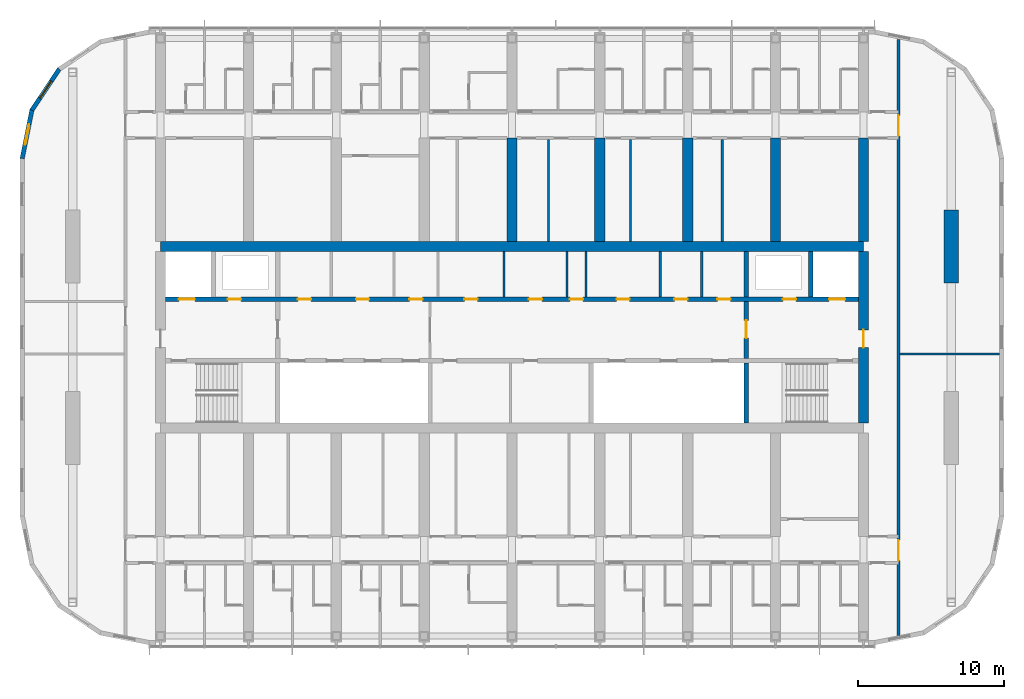
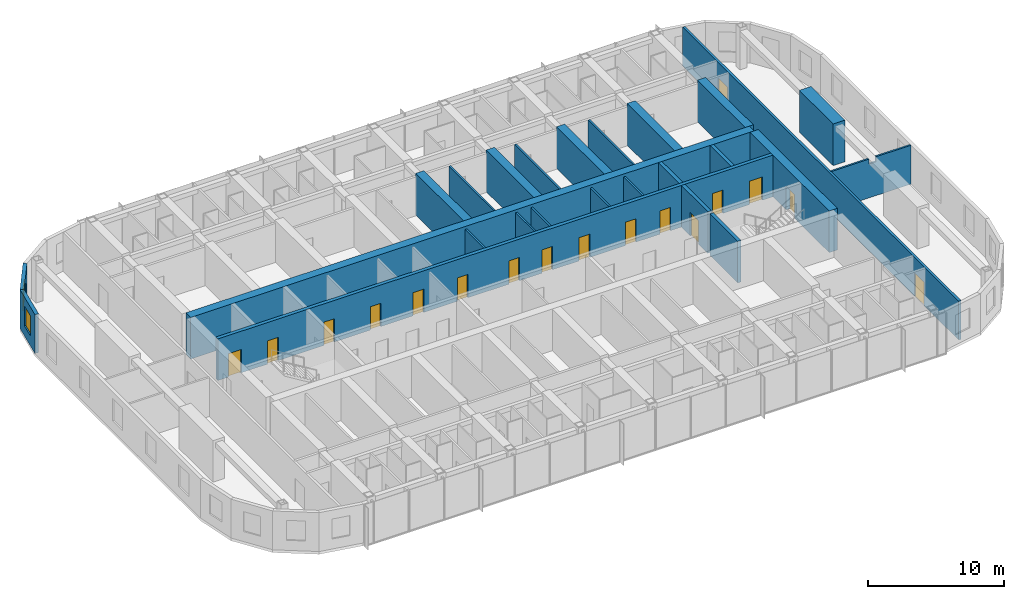
# One storey, part 15 of 24: 25 walls, 17 doors, 2 windows, 19 openings.
"""IFC4 building model written with IfcOpenShell, lengths in metres."""

from ifc_helpers import new_model, si_unit, direction, frame, frame_2d, origin, place, context, subcontext, project, spatial, polyline, rectangle, outline, extrude, material, layer, layer_set, type_object, element, fill, save


model = new_model("IFC4")

# Units and contexts
model_context = context("Model", 3, precision=1e-05, world=origin(), true_north=direction((0.0, 1.0)))
body_context = subcontext(model_context, "Body", "Model", "MODEL_VIEW")
ifc_project = project(units=[si_unit("LENGTHUNIT", "METRE"), si_unit("AREAUNIT", "SQUARE_METRE"), si_unit("VOLUMEUNIT", "CUBIC_METRE"), si_unit("PLANEANGLEUNIT", "RADIAN"), si_unit("MASSUNIT", "GRAM", prefix="KILO")], contexts=[model_context])

# Site, building, storey
site_placement = place(None, origin())
site = spatial("IfcSite", under=ifc_project, at=site_placement, CompositionType="ELEMENT")
building_placement = place(site_placement, origin())
building = spatial("IfcBuilding", under=site, at=building_placement, Name="Orbita Commons", CompositionType="ELEMENT")
storey_placement = place(building_placement, frame((0.0, 0.0, 239.050048828125)))
storey = spatial("IfcBuildingStorey", under=building, at=storey_placement, Name="L59", CompositionType="ELEMENT", Elevation=239.050048828125)

# Wall, openings, doors
ifc_material_1 = material(Name="Concrete C50/60", Category="concrete")
ifc_layer_1 = layer(ifc_material_1, 0.300048828125)
ifc_layer_set_1 = layer_set([ifc_layer_1], Name="Concrete C50/60")
wall_type_1 = type_object("IfcWallType", Name="Core inner wall 300 C50/60", PredefinedType="SHEAR", material=ifc_layer_set_1)
wall_1_placement = place(storey_placement, frame((18.35009765625, 34.60009765625, 0.0), z_axis=(0.0, 0.0, 1.0), x_axis=(1.0, 0.0, 0.0)))
wall_1 = element("IfcWall", 1, at=wall_1_placement, inside=storey, type_object=wall_type_1, Name="Lobby wall north L59", PredefinedType="SHEAR", context=body_context, shape_type="SweptSolid", body=[
    extrude(rectangle(XDim=47.2998046875, YDim=0.300048828125, at=frame_2d((23.64990234375, 0.0))), origin(), (0.0, 0.0, 1.0), 3.75),
])
opening_1_placement = place(wall_1_placement, frame((0.89990234375, 0.0, 0.0)))
opening_1 = element("IfcOpeningElement", 2, at=opening_1_placement, cuts=wall_1, Name="Opening LD01", PredefinedType="OPENING", context=body_context, shape_type="SweptSolid", body=[
    extrude(rectangle(XDim=1.10009765625, YDim=2.10009765625, at=frame_2d((0.550048828125, 1.050048828125))), frame((0.0, 0.159912109375, 0.0), z_axis=(0.0, -1.0, 0.0), x_axis=(1.0, 0.0, 0.0)), (0.0, 0.0, 1.0), 0.320068359375),
])
opening_2_placement = place(wall_1_placement, frame((45.300048828125, 0.0, 0.0)))
opening_2 = element("IfcOpeningElement", 3, at=opening_2_placement, cuts=wall_1, Name="Opening LD01", PredefinedType="OPENING", context=body_context, shape_type="SweptSolid", body=[
    extrude(rectangle(XDim=1.10009765625, YDim=2.10009765625, at=frame_2d((0.550048828125, 1.050048828125))), frame((0.0, 0.159912109375, 0.0), z_axis=(0.0, -1.0, 0.0), x_axis=(1.0, 0.0, 0.0)), (0.0, 0.0, 1.0), 0.320068359375),
])
opening_3_placement = place(wall_1_placement, frame((4.25, 0.0, 0.0)))
opening_3 = element("IfcOpeningElement", 4, at=opening_3_placement, cuts=wall_1, Name="Opening D03", PredefinedType="OPENING", context=body_context, shape_type="SweptSolid", body=[
    extrude(rectangle(XDim=0.89990234375, YDim=2.10009765625, at=frame_2d((0.449951171875, 1.050048828125))), frame((0.0, 0.159912109375, 0.0), z_axis=(0.0, -1.0, 0.0), x_axis=(1.0, 0.0, 0.0)), (0.0, 0.0, 1.0), 0.320068359375),
])
opening_4_placement = place(wall_1_placement, frame((42.14990234375, 0.0, 0.0)))
opening_4 = element("IfcOpeningElement", 5, at=opening_4_placement, cuts=wall_1, Name="Opening D03", PredefinedType="OPENING", context=body_context, shape_type="SweptSolid", body=[
    extrude(rectangle(XDim=0.89990234375, YDim=2.10009765625, at=frame_2d((0.449951171875, 1.050048828125))), frame((0.0, 0.159912109375, 0.0), z_axis=(0.0, -1.0, 0.0), x_axis=(1.0, 0.0, 0.0)), (0.0, 0.0, 1.0), 0.320068359375),
])
opening_5_placement = place(wall_1_placement, frame((9.025390625, 0.0, 0.0)))
opening_5 = element("IfcOpeningElement", 6, at=opening_5_placement, cuts=wall_1, Name="Opening D05", PredefinedType="OPENING", context=body_context, shape_type="SweptSolid", body=[
    extrude(rectangle(XDim=0.89990234375, YDim=2.10009765625, at=frame_2d((0.449951171875, 1.050048828125))), frame((0.0, 0.159912109375, 0.0), z_axis=(0.0, -1.0, 0.0), x_axis=(1.0, 0.0, 0.0)), (0.0, 0.0, 1.0), 0.320068359375),
])
opening_6_placement = place(wall_1_placement, frame((12.998779296875, 0.0, 0.0)))
opening_6 = element("IfcOpeningElement", 7, at=opening_6_placement, cuts=wall_1, Name="Opening D03", PredefinedType="OPENING", context=body_context, shape_type="SweptSolid", body=[
    extrude(rectangle(XDim=0.89990234375, YDim=2.10009765625, at=frame_2d((0.449951171875, 1.050048828125))), frame((0.0, 0.159912109375, 0.0), z_axis=(0.0, -1.0, 0.0), x_axis=(1.0, 0.0, 0.0)), (0.0, 0.0, 1.0), 0.320068359375),
])
opening_7_placement = place(wall_1_placement, frame((16.646240234375, 0.0, 0.0)))
opening_7 = element("IfcOpeningElement", 8, at=opening_7_placement, cuts=wall_1, Name="Opening D03", PredefinedType="OPENING", context=body_context, shape_type="SweptSolid", body=[
    extrude(rectangle(XDim=0.89990234375, YDim=2.10009765625, at=frame_2d((0.449951171875, 1.050048828125))), frame((0.0, 0.159912109375, 0.0), z_axis=(0.0, -1.0, 0.0), x_axis=(1.0, 0.0, 0.0)), (0.0, 0.0, 1.0), 0.320068359375),
])
opening_8_placement = place(wall_1_placement, frame((20.40478515625, 0.0, 0.0)))
opening_8 = element("IfcOpeningElement", 9, at=opening_8_placement, cuts=wall_1, Name="Opening D03", PredefinedType="OPENING", context=body_context, shape_type="SweptSolid", body=[
    extrude(rectangle(XDim=0.89990234375, YDim=2.10009765625, at=frame_2d((0.449951171875, 1.050048828125))), frame((0.0, 0.159912109375, 0.0), z_axis=(0.0, -1.0, 0.0), x_axis=(1.0, 0.0, 0.0)), (0.0, 0.0, 1.0), 0.320068359375),
])
opening_9_placement = place(wall_1_placement, frame((24.810791015625, 0.0, 0.0)))
opening_9 = element("IfcOpeningElement", 10, at=opening_9_placement, cuts=wall_1, Name="Opening D03", PredefinedType="OPENING", context=body_context, shape_type="SweptSolid", body=[
    extrude(rectangle(XDim=0.89990234375, YDim=2.10009765625, at=frame_2d((0.449951171875, 1.050048828125))), frame((0.0, 0.159912109375, 0.0), z_axis=(0.0, -1.0, 0.0), x_axis=(1.0, 0.0, 0.0)), (0.0, 0.0, 1.0), 0.320068359375),
])
opening_10_placement = place(wall_1_placement, frame((27.6083984375, 0.0, 0.0)))
opening_10 = element("IfcOpeningElement", 11, at=opening_10_placement, cuts=wall_1, Name="Opening D03", PredefinedType="OPENING", context=body_context, shape_type="SweptSolid", body=[
    extrude(rectangle(XDim=0.89990234375, YDim=2.10009765625, at=frame_2d((0.449951171875, 1.050048828125))), frame((0.0, 0.159912109375, 0.0), z_axis=(0.0, -1.0, 0.0), x_axis=(1.0, 0.0, 0.0)), (0.0, 0.0, 1.0), 0.320068359375),
])
opening_11_placement = place(wall_1_placement, frame((30.791259765625, 0.0, 0.0)))
opening_11 = element("IfcOpeningElement", 12, at=opening_11_placement, cuts=wall_1, Name="Opening D05", PredefinedType="OPENING", context=body_context, shape_type="SweptSolid", body=[
    extrude(rectangle(XDim=0.89990234375, YDim=2.10009765625, at=frame_2d((0.449951171875, 1.050048828125))), frame((0.0, 0.159912109375, 0.0), z_axis=(0.0, -1.0, 0.0), x_axis=(1.0, 0.0, 0.0)), (0.0, 0.0, 1.0), 0.320068359375),
])
opening_12_placement = place(wall_1_placement, frame((34.7421875, 0.0, 0.0)))
opening_12 = element("IfcOpeningElement", 13, at=opening_12_placement, cuts=wall_1, Name="Opening D03", PredefinedType="OPENING", context=body_context, shape_type="SweptSolid", body=[
    extrude(rectangle(XDim=0.89990234375, YDim=2.10009765625, at=frame_2d((0.449951171875, 1.050048828125))), frame((0.0, 0.159912109375, 0.0), z_axis=(0.0, -1.0, 0.0), x_axis=(1.0, 0.0, 0.0)), (0.0, 0.0, 1.0), 0.320068359375),
])
opening_13_placement = place(wall_1_placement, frame((37.680419921875, 0.0, 0.0)))
opening_13 = element("IfcOpeningElement", 14, at=opening_13_placement, cuts=wall_1, Name="Opening D03", PredefinedType="OPENING", context=body_context, shape_type="SweptSolid", body=[
    extrude(rectangle(XDim=0.89990234375, YDim=2.10009765625, at=frame_2d((0.449951171875, 1.050048828125))), frame((0.0, 0.159912109375, 0.0), z_axis=(0.0, -1.0, 0.0), x_axis=(1.0, 0.0, 0.0)), (0.0, 0.0, 1.0), 0.320068359375),
])
ifc_material_2 = material(Name="Steel-faced fire door leaf", Category="steel")
door_type_1 = type_object("IfcDoorType", Name="Firefighting lift landing door 1100x2100", OperationType="DOUBLE_DOOR_SLIDING", PredefinedType="DOOR", material=ifc_material_2)
door_1_placement = place(opening_1_placement, origin())
door_1 = element("IfcDoor", 15, at=door_1_placement, inside=storey, type_object=door_type_1, Name="Firefighting lift FL1 landing door", OperationType="DOUBLE_DOOR_SLIDING", OverallHeight=2.10009765625, OverallWidth=1.10009765625, PredefinedType="DOOR", context=body_context, shape_type="SweptSolid", body=[
    extrude(rectangle(XDim=1.10009765625, YDim=2.10009765625, at=frame_2d((0.550048828125, 1.050048828125))), frame((0.0, 0.02490234375, 0.0), z_axis=(0.0, -1.0, 0.0), x_axis=(1.0, 0.0, 0.0)), (0.0, 0.0, 1.0), 0.050048828125),
])
fill(opening_1, door_1)
door_2_placement = place(opening_2_placement, origin())
door_2 = element("IfcDoor", 16, at=door_2_placement, inside=storey, type_object=door_type_1, Name="Firefighting lift FL2 landing door", OperationType="DOUBLE_DOOR_SLIDING", OverallHeight=2.10009765625, OverallWidth=1.10009765625, PredefinedType="DOOR", context=body_context, shape_type="SweptSolid", body=[
    extrude(rectangle(XDim=1.10009765625, YDim=2.10009765625, at=frame_2d((0.550048828125, 1.050048828125))), frame((0.0, 0.02490234375, 0.0), z_axis=(0.0, -1.0, 0.0), x_axis=(1.0, 0.0, 0.0)), (0.0, 0.0, 1.0), 0.050048828125),
])
fill(opening_2, door_2)
ifc_material_3 = material(Name="Steel-faced fire door leaf", Category="steel")
door_type_2 = type_object("IfcDoorType", Name="Service door 20 min 900x2100", OperationType="SINGLE_SWING_LEFT", PredefinedType="DOOR", material=ifc_material_3)
door_3_placement = place(opening_5_placement, origin())
door_3 = element("IfcDoor", 17, at=door_3_placement, inside=storey, type_object=door_type_2, Name="Accessible WC door", OperationType="SINGLE_SWING_LEFT", OverallHeight=2.10009765625, OverallWidth=0.89990234375, PredefinedType="DOOR", context=body_context, shape_type="SweptSolid", body=[
    extrude(rectangle(XDim=0.89990234375, YDim=2.10009765625, at=frame_2d((0.449951171875, 1.050048828125))), frame((0.0, 0.02490234375, 0.0), z_axis=(0.0, -1.0, 0.0), x_axis=(1.0, 0.0, 0.0)), (0.0, 0.0, 1.0), 0.050048828125),
])
fill(opening_5, door_3)
door_4_placement = place(opening_11_placement, origin())
door_4 = element("IfcDoor", 18, at=door_4_placement, inside=storey, type_object=door_type_2, Name="Guest pantry door", OperationType="SINGLE_SWING_LEFT", OverallHeight=2.10009765625, OverallWidth=0.89990234375, PredefinedType="DOOR", context=body_context, shape_type="SweptSolid", body=[
    extrude(rectangle(XDim=0.89990234375, YDim=2.10009765625, at=frame_2d((0.449951171875, 1.050048828125))), frame((0.0, 0.02490234375, 0.0), z_axis=(0.0, -1.0, 0.0), x_axis=(1.0, 0.0, 0.0)), (0.0, 0.0, 1.0), 0.050048828125),
])
fill(opening_11, door_4)
ifc_material_4 = material(Name="Steel-faced fire door leaf", Category="steel")
door_type_3 = type_object("IfcDoorType", Name="Shaft access door 90 min 900x2100", OperationType="SINGLE_SWING_LEFT", PredefinedType="DOOR", material=ifc_material_4)
door_5_placement = place(opening_3_placement, origin())
door_5 = element("IfcDoor", 19, at=door_5_placement, inside=storey, type_object=door_type_3, Name="Riser door west", OperationType="SINGLE_SWING_LEFT", OverallHeight=2.10009765625, OverallWidth=0.89990234375, PredefinedType="DOOR", context=body_context, shape_type="SweptSolid", body=[
    extrude(rectangle(XDim=0.89990234375, YDim=2.10009765625, at=frame_2d((0.449951171875, 1.050048828125))), frame((0.0, 0.02490234375, 0.0), z_axis=(0.0, -1.0, 0.0), x_axis=(1.0, 0.0, 0.0)), (0.0, 0.0, 1.0), 0.050048828125),
])
fill(opening_3, door_5)
door_6_placement = place(opening_4_placement, origin())
door_6 = element("IfcDoor", 20, at=door_6_placement, inside=storey, type_object=door_type_3, Name="Riser door east", OperationType="SINGLE_SWING_LEFT", OverallHeight=2.10009765625, OverallWidth=0.89990234375, PredefinedType="DOOR", context=body_context, shape_type="SweptSolid", body=[
    extrude(rectangle(XDim=0.89990234375, YDim=2.10009765625, at=frame_2d((0.449951171875, 1.050048828125))), frame((0.0, 0.02490234375, 0.0), z_axis=(0.0, -1.0, 0.0), x_axis=(1.0, 0.0, 0.0)), (0.0, 0.0, 1.0), 0.050048828125),
])
fill(opening_4, door_6)
door_7_placement = place(opening_6_placement, origin())
door_7 = element("IfcDoor", 21, at=door_7_placement, inside=storey, type_object=door_type_3, Name="Refuse chute room door", OperationType="SINGLE_SWING_LEFT", OverallHeight=2.10009765625, OverallWidth=0.89990234375, PredefinedType="DOOR", context=body_context, shape_type="SweptSolid", body=[
    extrude(rectangle(XDim=0.89990234375, YDim=2.10009765625, at=frame_2d((0.449951171875, 1.050048828125))), frame((0.0, 0.02490234375, 0.0), z_axis=(0.0, -1.0, 0.0), x_axis=(1.0, 0.0, 0.0)), (0.0, 0.0, 1.0), 0.050048828125),
])
fill(opening_6, door_7)
door_8_placement = place(opening_7_placement, origin())
door_8 = element("IfcDoor", 22, at=door_8_placement, inside=storey, type_object=door_type_3, Name="Electrical riser room door", OperationType="SINGLE_SWING_LEFT", OverallHeight=2.10009765625, OverallWidth=0.89990234375, PredefinedType="DOOR", context=body_context, shape_type="SweptSolid", body=[
    extrude(rectangle(XDim=0.89990234375, YDim=2.10009765625, at=frame_2d((0.449951171875, 1.050048828125))), frame((0.0, 0.02490234375, 0.0), z_axis=(0.0, -1.0, 0.0), x_axis=(1.0, 0.0, 0.0)), (0.0, 0.0, 1.0), 0.050048828125),
])
fill(opening_7, door_8)
door_9_placement = place(opening_8_placement, origin())
door_9 = element("IfcDoor", 23, at=door_9_placement, inside=storey, type_object=door_type_3, Name="IT room door", OperationType="SINGLE_SWING_LEFT", OverallHeight=2.10009765625, OverallWidth=0.89990234375, PredefinedType="DOOR", context=body_context, shape_type="SweptSolid", body=[
    extrude(rectangle(XDim=0.89990234375, YDim=2.10009765625, at=frame_2d((0.449951171875, 1.050048828125))), frame((0.0, 0.02490234375, 0.0), z_axis=(0.0, -1.0, 0.0), x_axis=(1.0, 0.0, 0.0)), (0.0, 0.0, 1.0), 0.050048828125),
])
fill(opening_8, door_9)
door_10_placement = place(opening_9_placement, origin())
door_10 = element("IfcDoor", 24, at=door_10_placement, inside=storey, type_object=door_type_3, Name="Communications room door", OperationType="SINGLE_SWING_LEFT", OverallHeight=2.10009765625, OverallWidth=0.89990234375, PredefinedType="DOOR", context=body_context, shape_type="SweptSolid", body=[
    extrude(rectangle(XDim=0.89990234375, YDim=2.10009765625, at=frame_2d((0.449951171875, 1.050048828125))), frame((0.0, 0.02490234375, 0.0), z_axis=(0.0, -1.0, 0.0), x_axis=(1.0, 0.0, 0.0)), (0.0, 0.0, 1.0), 0.050048828125),
])
fill(opening_9, door_10)
door_11_placement = place(opening_10_placement, origin())
door_11 = element("IfcDoor", 25, at=door_11_placement, inside=storey, type_object=door_type_3, Name="Stair pressurisation duct door", OperationType="SINGLE_SWING_LEFT", OverallHeight=2.10009765625, OverallWidth=0.89990234375, PredefinedType="DOOR", context=body_context, shape_type="SweptSolid", body=[
    extrude(rectangle(XDim=0.89990234375, YDim=2.10009765625, at=frame_2d((0.449951171875, 1.050048828125))), frame((0.0, 0.02490234375, 0.0), z_axis=(0.0, -1.0, 0.0), x_axis=(1.0, 0.0, 0.0)), (0.0, 0.0, 1.0), 0.050048828125),
])
fill(opening_10, door_11)
door_12_placement = place(opening_12_placement, origin())
door_12 = element("IfcDoor", 26, at=door_12_placement, inside=storey, type_object=door_type_3, Name="Linen store door", OperationType="SINGLE_SWING_LEFT", OverallHeight=2.10009765625, OverallWidth=0.89990234375, PredefinedType="DOOR", context=body_context, shape_type="SweptSolid", body=[
    extrude(rectangle(XDim=0.89990234375, YDim=2.10009765625, at=frame_2d((0.449951171875, 1.050048828125))), frame((0.0, 0.02490234375, 0.0), z_axis=(0.0, -1.0, 0.0), x_axis=(1.0, 0.0, 0.0)), (0.0, 0.0, 1.0), 0.050048828125),
])
fill(opening_12, door_12)
door_13_placement = place(opening_13_placement, origin())
door_13 = element("IfcDoor", 27, at=door_13_placement, inside=storey, type_object=door_type_3, Name="Cleaners store door", OperationType="SINGLE_SWING_LEFT", OverallHeight=2.10009765625, OverallWidth=0.89990234375, PredefinedType="DOOR", context=body_context, shape_type="SweptSolid", body=[
    extrude(rectangle(XDim=0.89990234375, YDim=2.10009765625, at=frame_2d((0.449951171875, 1.050048828125))), frame((0.0, 0.02490234375, 0.0), z_axis=(0.0, -1.0, 0.0), x_axis=(1.0, 0.0, 0.0)), (0.0, 0.0, 1.0), 0.050048828125),
])
fill(opening_13, door_13)

# Wall
wall_2_placement = place(storey_placement, frame((58.0, 26.14990234375, 0.0), z_axis=(0.0, 0.0, 1.0), x_axis=(0.0, 1.0, 0.0)))
element("IfcWall", 28, at=wall_2_placement, inside=storey, type_object=wall_type_1, Name="Stair S2 wall L59", PredefinedType="SHEAR", context=body_context, shape_type="SweptSolid", body=[
    extrude(rectangle(XDim=4.10009765625, YDim=0.300048828125, at=frame_2d((2.050048828125, 0.0))), origin(), (0.0, 0.0, 1.0), 3.75),
])

# Wall, opening, door
wall_3_placement = place(storey_placement, frame((58.0, 30.550048828125, 0.0), z_axis=(0.0, 0.0, 1.0), x_axis=(0.0, 1.0, 0.0)))
wall_3 = element("IfcWall", 29, at=wall_3_placement, inside=storey, type_object=wall_type_1, Name="Firefighting lobby wall east L59", PredefinedType="SHEAR", context=body_context, shape_type="SweptSolid", body=[
    extrude(rectangle(XDim=3.89990234375, YDim=0.300048828125, at=frame_2d((1.949951171875, 0.0))), origin(), (0.0, 0.0, 1.0), 3.75),
])
opening_14_placement = place(wall_3_placement, frame((1.39990234375, 0.0, 0.0)))
opening_14 = element("IfcOpeningElement", 30, at=opening_14_placement, cuts=wall_3, Name="Opening D04", PredefinedType="OPENING", context=body_context, shape_type="SweptSolid", body=[
    extrude(rectangle(XDim=1.199951171875, YDim=2.10009765625, at=frame_2d((0.60009765625, 1.050048828125))), frame((0.0, 0.159912109375, 0.0), z_axis=(0.0, -1.0, 0.0), x_axis=(1.0, 0.0, 0.0)), (0.0, 0.0, 1.0), 0.320068359375),
])
ifc_material_5 = material(Name="Steel-faced fire door leaf", Category="steel")
door_type_4 = type_object("IfcDoorType", Name="Service door 20 min 1200x2100", OperationType="SINGLE_SWING_LEFT", PredefinedType="DOOR", material=ifc_material_5)
door_14_placement = place(opening_14_placement, origin())
door_14 = element("IfcDoor", 31, at=door_14_placement, inside=storey, type_object=door_type_4, Name="Lift lobby door east", OperationType="SINGLE_SWING_LEFT", OverallHeight=2.10009765625, OverallWidth=1.199951171875, PredefinedType="DOOR", context=body_context, shape_type="SweptSolid", body=[
    extrude(rectangle(XDim=1.199951171875, YDim=2.10009765625, at=frame_2d((0.60009765625, 1.050048828125))), frame((0.0, 0.02490234375, 0.0), z_axis=(0.0, -1.0, 0.0), x_axis=(1.0, 0.0, 0.0)), (0.0, 0.0, 1.0), 0.050048828125),
])
fill(opening_14, door_14)

# Walls
for number, where, z_axis, x_axis, name in (
    (32, (62.39990234375, 34.75, 0.0), (0.0, 0.0, 1.0), (0.0, 1.0, 0.0), "Firefighting lift FL2 shaft wall L59"),
    (33, (58.0, 34.75, 0.0), (0.0, 0.0, 1.0), (0.0, 1.0, 0.0), "Riser wall east L59"),
):
    element("IfcWall", number, at=place(storey_placement, frame(where, z_axis=z_axis, x_axis=x_axis)), inside=storey, type_object=wall_type_1, Name=name, PredefinedType="SHEAR", context=body_context, shape_type="SweptSolid", body=[
        extrude(rectangle(XDim=3.10009765625, YDim=0.300048828125, at=frame_2d((1.550048828125, 0.0))), origin(), (0.0, 0.0, 1.0), 3.75),
    ])
ifc_material_6 = material(Name="Concrete blockwork", Category="masonry")
ifc_layer_2 = layer(ifc_material_6, 0.14990234375)
ifc_layer_set_2 = layer_set([ifc_layer_2], Name="Concrete blockwork")
wall_type_2 = type_object("IfcWallType", Name="Core partition 150 blockwork", PredefinedType="SOLIDWALL", material=ifc_layer_set_2)
for number, where, z_axis, x_axis, name in (
    (34, (41.463134765625, 34.75, 0.0), (0.0, 0.0, 1.0), (0.0, 1.0, 0.0), "Core partition 150 blockwork L59"),
    (35, (45.75830078125, 34.75, 0.0), (0.0, 0.0, 1.0), (0.0, 1.0, 0.0), "Core partition 150 blockwork L59"),
    (36, (47.058349609375, 34.75, 0.0), (0.0, 0.0, 1.0), (0.0, 1.0, 0.0), "Core partition 150 blockwork L59"),
    (37, (52.123779296875, 34.75, 0.0), (0.0, 0.0, 1.0), (0.0, 1.0, 0.0), "Core partition 150 blockwork L59"),
    (38, (54.960693359375, 34.75, 0.0), (0.0, 0.0, 1.0), (0.0, 1.0, 0.0), "Core partition 150 blockwork L59"),
):
    element("IfcWall", number, at=place(storey_placement, frame(where, z_axis=z_axis, x_axis=x_axis)), inside=storey, type_object=wall_type_2, Name=name, PredefinedType="SOLIDWALL", context=body_context, shape_type="SweptSolid", body=[
        extrude(rectangle(XDim=3.10009765625, YDim=0.14990234375, at=frame_2d((1.550048828125, 0.0))), origin(), (0.0, 0.0, 1.0), 3.5),
    ])
ifc_material_7 = material(Name="Concrete C50/60", Category="concrete")
ifc_layer_3 = layer(ifc_material_7, 0.699951171875)
ifc_layer_set_3 = layer_set([ifc_layer_3], Name="Concrete C50/60")
wall_type_3 = type_object("IfcWallType", Name="Core wall 700 C50/60", PredefinedType="SHEAR", material=ifc_layer_set_3)
wall_4_placement = place(storey_placement, frame((18.0, 38.199951171875, 0.0), z_axis=(0.0, 0.0, 1.0), x_axis=(1.0, 0.0, 0.0)))
element("IfcWall", 39, at=wall_4_placement, inside=storey, type_object=wall_type_3, Name="Core spine wall north L59", PredefinedType="SHEAR", context=body_context, shape_type="SweptSolid", body=[
    extrude(rectangle(XDim=48.0, YDim=0.699951171875, at=frame_2d((24.0, 0.0))), origin(), (0.0, 0.0, 1.0), 3.75),
])

# Wall, opening, door
wall_5_placement = place(storey_placement, frame((66.0, 26.14990234375, 0.0), z_axis=(0.0, 0.0, 1.0), x_axis=(0.0, 1.0, 0.0)))
wall_5 = element("IfcWall", 40, at=wall_5_placement, inside=storey, type_object=wall_type_3, Name="Core end wall east L59", PredefinedType="SHEAR", context=body_context, shape_type="SweptSolid", body=[
    extrude(rectangle(XDim=11.7001953125, YDim=0.699951171875, at=frame_2d((5.85009765625, 0.0))), origin(), (0.0, 0.0, 1.0), 3.75),
])
opening_15_placement = place(wall_5_placement, frame((5.14990234375, 0.0, 0.0)))
opening_15 = element("IfcOpeningElement", 41, at=opening_15_placement, cuts=wall_5, Name="Opening D01", PredefinedType="OPENING", context=body_context, shape_type="SweptSolid", body=[
    extrude(rectangle(XDim=1.199951171875, YDim=2.10009765625, at=frame_2d((0.60009765625, 1.050048828125))), frame((0.0, 0.35986328125, 0.0), z_axis=(0.0, -1.0, 0.0), x_axis=(1.0, 0.0, 0.0)), (0.0, 0.0, 1.0), 0.719970703125),
])
ifc_material_8 = material(Name="Steel-faced fire door leaf", Category="steel")
door_type_5 = type_object("IfcDoorType", Name="Fire door 90 min 1200x2100", OperationType="SINGLE_SWING_LEFT", PredefinedType="DOOR", material=ifc_material_8)
door_15_placement = place(opening_15_placement, origin())
door_15 = element("IfcDoor", 42, at=door_15_placement, inside=storey, type_object=door_type_5, Name="Firefighting lobby east door", OperationType="SINGLE_SWING_LEFT", OverallHeight=2.10009765625, OverallWidth=1.199951171875, PredefinedType="DOOR", context=body_context, shape_type="SweptSolid", body=[
    extrude(rectangle(XDim=1.199951171875, YDim=2.10009765625, at=frame_2d((0.60009765625, 1.050048828125))), frame((0.0, 0.02490234375, 0.0), z_axis=(0.0, -1.0, 0.0), x_axis=(1.0, 0.0, 0.0)), (0.0, 0.0, 1.0), 0.050048828125),
])
fill(opening_15, door_15)

# Wall, openings, doors
ifc_material_9 = material(Name="Concrete blockwork", Category="masonry")
ifc_layer_4 = layer(ifc_material_9, 0.199951171875)
ifc_layer_set_4 = layer_set([ifc_layer_4], Name="Concrete blockwork")
wall_type_4 = type_object("IfcWallType", Name="Corridor wall 200 blockwork", PredefinedType="SOLIDWALL", material=ifc_layer_set_4)
wall_6_placement = place(storey_placement, frame((68.39990234375, 11.646240234375, 0.0), z_axis=(0.0, 0.0, 1.0), x_axis=(0.0, 1.0, 0.0)))
wall_6 = element("IfcWall", 43, at=wall_6_placement, inside=storey, type_object=wall_type_4, Name="Corridor wall 200 blockwork L59", PredefinedType="SOLIDWALL", context=body_context, shape_type="SweptSolid", body=[
    extrude(rectangle(XDim=40.70751953125, YDim=0.199951171875, at=frame_2d((20.353759765625, 0.0))), origin(), (0.0, 0.0, 1.0), 3.5),
])
opening_16_placement = place(wall_6_placement, frame((5.103759765625, 0.0, 0.0)))
opening_16 = element("IfcOpeningElement", 44, at=opening_16_placement, cuts=wall_6, Name="Opening D08", PredefinedType="OPENING", context=body_context, shape_type="SweptSolid", body=[
    extrude(rectangle(XDim=1.39990234375, YDim=2.10009765625, at=frame_2d((0.699951171875, 1.050048828125))), frame((0.0, 0.10986328125, 0.0), z_axis=(0.0, -1.0, 0.0), x_axis=(1.0, 0.0, 0.0)), (0.0, 0.0, 1.0), 0.219970703125),
])
opening_17_placement = place(wall_6_placement, frame((34.103759765625, 0.0, 0.0)))
opening_17 = element("IfcOpeningElement", 45, at=opening_17_placement, cuts=wall_6, Name="Opening D08", PredefinedType="OPENING", context=body_context, shape_type="SweptSolid", body=[
    extrude(rectangle(XDim=1.39990234375, YDim=2.10009765625, at=frame_2d((0.699951171875, 1.050048828125))), frame((0.0, 0.10986328125, 0.0), z_axis=(0.0, -1.0, 0.0), x_axis=(1.0, 0.0, 0.0)), (0.0, 0.0, 1.0), 0.219970703125),
])
ifc_material_10 = material(Name="Steel-faced fire door leaf", Category="steel")
door_type_6 = type_object("IfcDoorType", Name="Double corridor door 20 min 1400x2100", OperationType="DOUBLE_DOOR_SINGLE_SWING", PredefinedType="DOOR", material=ifc_material_10)
door_16_placement = place(opening_16_placement, origin())
door_16 = element("IfcDoor", 46, at=door_16_placement, inside=storey, type_object=door_type_6, Name="Lounge doors", OperationType="DOUBLE_DOOR_SINGLE_SWING", OverallHeight=2.10009765625, OverallWidth=1.39990234375, PredefinedType="DOOR", context=body_context, shape_type="SweptSolid", body=[
    extrude(rectangle(XDim=1.39990234375, YDim=2.10009765625, at=frame_2d((0.699951171875, 1.050048828125))), frame((0.0, 0.02490234375, 0.0), z_axis=(0.0, -1.0, 0.0), x_axis=(1.0, 0.0, 0.0)), (0.0, 0.0, 1.0), 0.050048828125),
])
fill(opening_16, door_16)
door_17_placement = place(opening_17_placement, origin())
door_17 = element("IfcDoor", 47, at=door_17_placement, inside=storey, type_object=door_type_6, Name="Lounge doors", OperationType="DOUBLE_DOOR_SINGLE_SWING", OverallHeight=2.10009765625, OverallWidth=1.39990234375, PredefinedType="DOOR", context=body_context, shape_type="SweptSolid", body=[
    extrude(rectangle(XDim=1.39990234375, YDim=2.10009765625, at=frame_2d((0.699951171875, 1.050048828125))), frame((0.0, 0.02490234375, 0.0), z_axis=(0.0, -1.0, 0.0), x_axis=(1.0, 0.0, 0.0)), (0.0, 0.0, 1.0), 0.050048828125),
])
fill(opening_17, door_17)

# Walls
ifc_material_11 = material(Name="Concrete C50/60", Category="concrete")
ifc_layer_5 = layer(ifc_material_11, 0.699951171875)
ifc_layer_set_5 = layer_set([ifc_layer_5], Name="Concrete C50/60")
wall_type_5 = type_object("IfcWallType", Name="Cross wall 700 C50/60", PredefinedType="SHEAR", material=ifc_layer_set_5)
for number, where, z_axis, x_axis, name in (
    (48, (42.0, 38.550048828125, 0.0), (0.0, 0.0, 1.0), (0.0, 1.0, 0.0), "Cross wall 8 north inner L59"),
    (49, (48.0, 38.550048828125, 0.0), (0.0, 0.0, 1.0), (0.0, 1.0, 0.0), "Cross wall 9 north inner L59"),
    (50, (54.0, 38.550048828125, 0.0), (0.0, 0.0, 1.0), (0.0, 1.0, 0.0), "Cross wall 10 north inner L59"),
    (51, (60.0, 38.550048828125, 0.0), (0.0, 0.0, 1.0), (0.0, 1.0, 0.0), "Cross wall 11 north inner L59"),
    (52, (66.0, 38.550048828125, 0.0), (0.0, 0.0, 1.0), (0.0, 1.0, 0.0), "Cross wall 12 north inner L59"),
):
    element("IfcWall", number, at=place(storey_placement, frame(where, z_axis=z_axis, x_axis=x_axis)), inside=storey, type_object=wall_type_5, Name=name, PredefinedType="SHEAR", context=body_context, shape_type="SweptSolid", body=[
        extrude(rectangle(XDim=7.050048828125, YDim=0.699951171875, at=frame_2d((3.52490234375, 0.0))), origin(), (0.0, 0.0, 1.0), 3.75),
    ])
ifc_material_12 = material(Name="Concrete C50/60", Category="concrete")
ifc_layer_6 = layer(ifc_material_12, 1.0)
ifc_layer_set_6 = layer_set([ifc_layer_6], Name="Concrete C50/60")
wall_type_6 = type_object("IfcWallType", Name="End pier 1000x5000 C50/60", PredefinedType="SHEAR", material=ifc_layer_set_6)
wall_7_placement = place(storey_placement, frame((72.0, 35.699951171875, 0.0), z_axis=(0.0, 0.0, 1.0), x_axis=(0.0, 1.0, 0.0)))
element("IfcWall", 53, at=wall_7_placement, inside=storey, type_object=wall_type_6, Name="End pier 13/D L59", PredefinedType="SHEAR", context=body_context, shape_type="SweptSolid", body=[
    extrude(rectangle(XDim=5.0, YDim=1.0, at=frame_2d((2.5, 0.0))), origin(), (0.0, 0.0, 1.0), 3.75),
])
ifc_material_13 = material(Name="Gypsum plasterboard on steel studs", Category="steel")
ifc_layer_7 = layer(ifc_material_13, 0.14990234375)
ifc_layer_set_7 = layer_set([ifc_layer_7], Name="Gypsum plasterboard on steel studs")
wall_type_7 = type_object("IfcWallType", Name="Partition 150 plasterboard", PredefinedType="PARTITIONING", material=ifc_layer_set_7)
for number, where, z_axis, x_axis, name in (
    (54, (44.489990234375, 38.550048828125, 0.0), (0.0, 0.0, 1.0), (0.0, 1.0, 0.0), "Partition 150 plasterboard L59"),
    (55, (50.0849609375, 38.550048828125, 0.0), (0.0, 0.0, 1.0), (0.0, 1.0, 0.0), "Partition 150 plasterboard L59"),
    (56, (56.360107421875, 38.550048828125, 0.0), (0.0, 0.0, 1.0), (0.0, 1.0, 0.0), "Partition 150 plasterboard L59"),
):
    element("IfcWall", number, at=place(storey_placement, frame(where, z_axis=z_axis, x_axis=x_axis)), inside=storey, type_object=wall_type_7, Name=name, PredefinedType="PARTITIONING", context=body_context, shape_type="SweptSolid", body=[
        extrude(rectangle(XDim=6.949951171875, YDim=0.14990234375, at=frame_2d((3.47509765625, 0.0))), origin(), (0.0, 0.0, 1.0), 3.5),
    ])
wall_8_placement = place(storey_placement, frame((68.47509765625, 30.85009765625, 0.0), z_axis=(0.0, 0.0, 1.0), x_axis=(1.0, 0.0, 0.0)))
element("IfcWall", 57, at=wall_8_placement, inside=storey, type_object=wall_type_7, Name="Partition 150 plasterboard L59", PredefinedType="PARTITIONING", context=body_context, shape_type="SweptSolid", body=[
    extrude(outline(polyline([(0.0, 0.0), (6.81982421875, 0.0), (6.820068359375, 3.5), (3.826904296875, 3.5), (3.824951171875, 3.050048828125), (3.22705078125, 3.050048828125), (3.22509765625, 3.5), (0.0, 3.5), (0.0, 0.0)])), frame((0.0, 0.074951171875, 0.0), z_axis=(0.0, -1.0, 0.0), x_axis=(1.0, 0.0, 0.0)), (0.0, 0.0, 1.0), 0.14990234375),
])

# Wall, opening, window
ifc_material_14 = material(Name="Precast concrete C40/50, white board-marked finish", Category="concrete")
ifc_layer_8 = layer(ifc_material_14, 0.300048828125)
ifc_layer_set_8 = layer_set([ifc_layer_8], Name="Precast concrete C40/50, white board-marked finish")
wall_type_8 = type_object("IfcWallType", Name="Precast concrete end shield 300", PredefinedType="SOLIDWALL", material=ifc_layer_set_8)
wall_9_placement = place(storey_placement, frame((11.08349609375, 50.31640625, 0.0), z_axis=(0.0, 0.0, 1.0), x_axis=(-0.555567969291, -0.831471124873, 0.0)))
wall_9 = element("IfcWall", 58, at=wall_9_placement, inside=storey, type_object=wall_type_8, Name="End shield NW chord 3 L59", PredefinedType="SOLIDWALL", context=body_context, shape_type="SweptSolid", body=[
    extrude(outline(polyline([(-0.02978515625, -0.14990234375), (3.40478515625, -0.14990234375), (3.34521484375, 0.14990234375), (0.02978515625, 0.14990234375), (-0.02978515625, -0.14990234375)])), origin(), (0.0, 0.0, 1.0), 3.5),
])
opening_18_placement = place(wall_9_placement, frame((0.987548828125, 0.0, 0.89990234375)))
opening_18 = element("IfcOpeningElement", 59, at=opening_18_placement, cuts=wall_9, Name="Opening W02", PredefinedType="OPENING", context=body_context, shape_type="SweptSolid", body=[
    extrude(rectangle(XDim=1.39990234375, YDim=1.800048828125, at=frame_2d((0.699951171875, 0.89990234375))), frame((0.0, 0.159912109375, 0.0), z_axis=(0.0, -1.0, 0.0), x_axis=(1.0, 0.0, 0.0)), (0.0, 0.0, 1.0), 0.320068359375),
])
ifc_material_15 = material(Name="Aluminium frame, clear double glazing", Category="aluminium")
window_type = type_object("IfcWindowType", Name="Deep-set window 1400x1800", PartitioningType="SINGLE_PANEL", PredefinedType="WINDOW", material=ifc_material_15)
window_1_placement = place(opening_18_placement, origin())
window_1 = element("IfcWindow", 60, at=window_1_placement, inside=storey, type_object=window_type, Name="Window L59-NW2", OverallHeight=1.800048828125, OverallWidth=1.39990234375, PartitioningType="SINGLE_PANEL", PredefinedType="WINDOW", context=body_context, shape_type="SweptSolid", body=[
    extrude(rectangle(XDim=1.39990234375, YDim=1.800048828125, at=frame_2d((0.699951171875, 0.89990234375))), frame((0.0, 0.030029296875, 0.0), z_axis=(0.0, -1.0, 0.0), x_axis=(1.0, 0.0, 0.0)), (0.0, 0.0, 1.0), 0.06005859375),
])
fill(opening_18, window_1)

wall_10_placement = place(storey_placement, frame((9.20849609375, 47.51025390625, 0.0), z_axis=(0.0, 0.0, 1.0), x_axis=(-0.19508664885, -0.980786011034, 0.0)))
wall_10 = element("IfcWall", 61, at=wall_10_placement, inside=storey, type_object=wall_type_8, Name="End shield NW chord 4 L59", PredefinedType="SOLIDWALL", context=body_context, shape_type="SweptSolid", body=[
    extrude(outline(polyline([(-0.02978515625, -0.14990234375), (3.39013671875, -0.14990234375), (3.3603515625, 0.14990234375), (0.02978515625, 0.14990234375), (-0.02978515625, -0.14990234375)])), origin(), (0.0, 0.0, 1.0), 3.5),
])
opening_19_placement = place(wall_10_placement, frame((0.987548828125, 0.0, 0.89990234375)))
opening_19 = element("IfcOpeningElement", 62, at=opening_19_placement, cuts=wall_10, Name="Opening W02", PredefinedType="OPENING", context=body_context, shape_type="SweptSolid", body=[
    extrude(rectangle(XDim=1.39990234375, YDim=1.800048828125, at=frame_2d((0.699951171875, 0.89990234375))), frame((0.0, 0.159912109375, 0.0), z_axis=(0.0, -1.0, 0.0), x_axis=(1.0, 0.0, 0.0)), (0.0, 0.0, 1.0), 0.320068359375),
])
window_2_placement = place(opening_19_placement, origin())
window_2 = element("IfcWindow", 63, at=window_2_placement, inside=storey, type_object=window_type, Name="Window L59-NW3", OverallHeight=1.800048828125, OverallWidth=1.39990234375, PartitioningType="SINGLE_PANEL", PredefinedType="WINDOW", context=body_context, shape_type="SweptSolid", body=[
    extrude(rectangle(XDim=1.39990234375, YDim=1.800048828125, at=frame_2d((0.699951171875, 0.89990234375))), frame((0.0, 0.030029296875, 0.0), z_axis=(0.0, -1.0, 0.0), x_axis=(1.0, 0.0, 0.0)), (0.0, 0.0, 1.0), 0.06005859375),
])
fill(opening_19, window_2)

save(model, "model.ifc")
